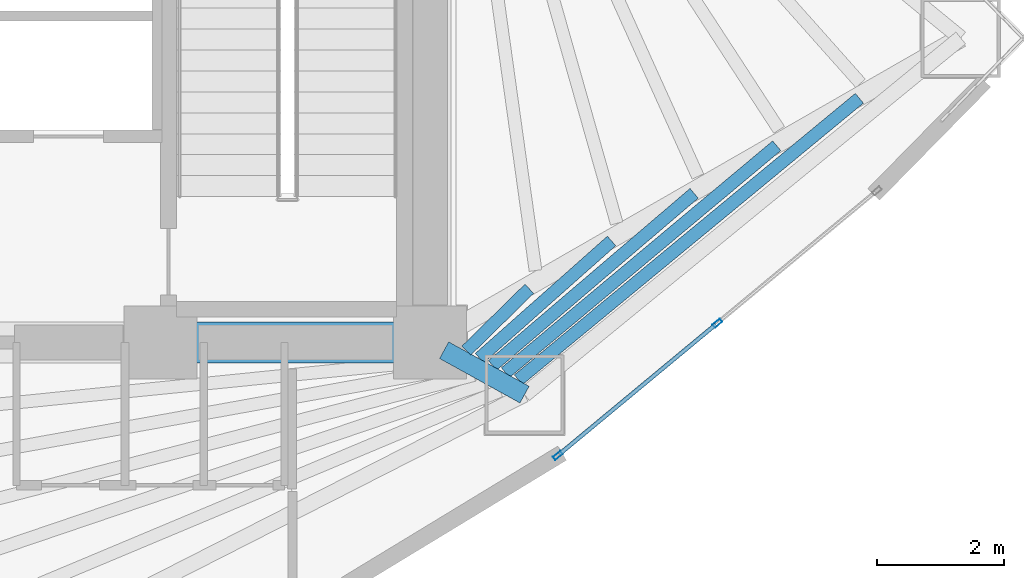
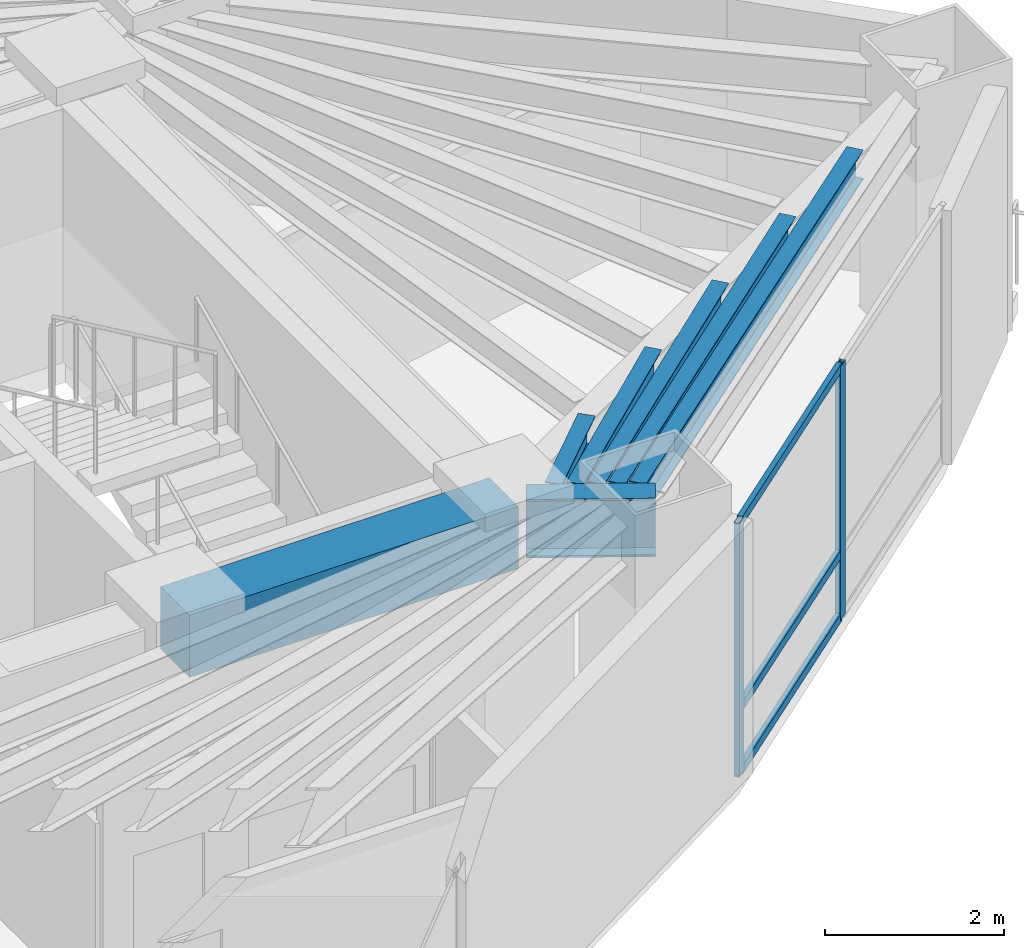
# One storey, part 10 of 19: 7 beams, 5 members, 1 element without a shape of its own.
"""IFC4 building model written with IfcOpenShell, lengths in metres."""

from ifc_helpers import new_model, si_unit, direction, frame, origin, origin_2d, place, context, subcontext, project, spatial, rectangle, hollow_rectangle, i_section, extrude, material, layer, layer_set, material_profile, profile_set, type_object, element, aggregate, save


model = new_model("IFC4")

# Units and contexts
model_context = context("Model", 3, precision=1e-05, world=origin(), true_north=direction((0.0, 1.0)))
body_context = subcontext(model_context, "Body", "Model", "MODEL_VIEW")
ifc_project = project(units=[si_unit("LENGTHUNIT", "METRE"), si_unit("AREAUNIT", "SQUARE_METRE"), si_unit("VOLUMEUNIT", "CUBIC_METRE"), si_unit("PLANEANGLEUNIT", "RADIAN"), si_unit("MASSUNIT", "GRAM", prefix="KILO")], contexts=[model_context])

# Site, building, storey
site_placement = place(None, origin())
site = spatial("IfcSite", under=ifc_project, at=site_placement, CompositionType="ELEMENT")
building_placement = place(site_placement, origin())
building = spatial("IfcBuilding", under=site, at=building_placement, Name="Menara Vayukalpa", CompositionType="ELEMENT")
storey_placement = place(building_placement, frame((0.0, 0.0, 118.860107421875)))
storey = spatial("IfcBuildingStorey", under=building, at=storey_placement, Name="L29", CompositionType="ELEMENT", Elevation=118.860107421875)

# Beams
ifc_material_1 = material(Name="Concrete C60/75", Category="concrete")
ifc_material_profile_1 = material_profile(ifc_material_1, rectangle(XDim=0.64990234375, YDim=0.85009765625, at=origin_2d()), Name="RC 650x850")
ifc_profile_set_1 = profile_set([ifc_material_profile_1], Name="Concrete C60/75")
beam_type_1 = type_object("IfcBeamType", Name="BM-CB1", PredefinedType="BEAM", material=ifc_profile_set_1)
beam_1_placement = place(storey_placement, frame((29.14990234375, 17.199951171875, 3.044921875), z_axis=(1.0, 0.0, 0.0), x_axis=(0.0, 1.0, 0.0)))
element("IfcBeam", 1, at=beam_1_placement, inside=storey, type_object=beam_type_1, Name="L29 Core Tie Beam CBR3", PredefinedType="BEAM", context=body_context, shape_type="SweptSolid", body=[
    extrude(rectangle(XDim=0.64990234375, YDim=0.85009765625, at=origin_2d()), origin(), (0.0, 0.0, 1.0), 4.25),
])
ifc_material_2 = material(Name="Steel S355", Category="steel")
ifc_material_profile_2 = material_profile(ifc_material_2, i_section(OverallWidth=0.300048828125, OverallDepth=0.800048828125, WebThickness=0.013916015625, FlangeThickness=0.02587890625, at=origin_2d()), Name="WF 800x300x14x26")
ifc_profile_set_2 = profile_set([ifc_material_profile_2], Name="Steel S355")
beam_type_2 = type_object("IfcBeamType", Name="BM-PG3", PredefinedType="BEAM", material=ifc_profile_set_2)
beam_2_placement = place(storey_placement, frame((33.618896484375, 17.0791015625, 3.06982421875), z_axis=(0.875228391676, -0.48370989488, 0.0), x_axis=(0.48370989488, 0.875228391676, 0.0)))
element("IfcBeam", 2, at=beam_2_placement, inside=storey, type_object=beam_type_2, Name="L29 Primary Radial Girder RG09", PredefinedType="BEAM", context=body_context, shape_type="SweptSolid", body=[
    extrude(i_section(OverallWidth=0.300048828125, OverallDepth=0.800048828125, WebThickness=0.013916015625, FlangeThickness=0.02587890625, at=origin_2d()), origin(), (0.0, 0.0, 1.0), 1.448486328125),
])
ifc_material_3 = material(Name="Steel S355", Category="steel")
ifc_material_profile_3 = material_profile(ifc_material_3, i_section(OverallWidth=0.199951171875, OverallDepth=0.39990234375, WebThickness=0.008056640625, FlangeThickness=0.012939453125, at=origin_2d()), Name="WF 400x200x8x13")
ifc_profile_set_3 = profile_set([ifc_material_profile_3], Name="Steel S355")
beam_type_3 = type_object("IfcBeamType", Name="BM-SJ2", PredefinedType="JOIST", material=ifc_profile_set_3)
beam_3_placement = place(storey_placement, frame((33.968505859375, 17.072021484375, 3.269775390625), z_axis=(0.713567159094, 0.700586832208, 0.0), x_axis=(-0.700586832208, 0.713567159094, 0.0)))
element("IfcBeam", 3, at=beam_3_placement, inside=storey, type_object=beam_type_3, Name="L29 Secondary Floor Joist SJ09-1", PredefinedType="JOIST", context=body_context, shape_type="SweptSolid", body=[
    extrude(i_section(OverallWidth=0.199951171875, OverallDepth=0.39990234375, WebThickness=0.008056640625, FlangeThickness=0.012939453125, at=origin_2d()), origin(), (0.0, 0.0, 1.0), 1.391845703125),
])
beam_4_placement = place(storey_placement, frame((34.177001953125, 16.95361328125, 3.269775390625), z_axis=(0.747951028434, 0.663753914539, 0.0), x_axis=(-0.663753914539, 0.747951028434, 0.0)))
element("IfcBeam", 4, at=beam_4_placement, inside=storey, type_object=beam_type_3, Name="L29 Secondary Floor Joist SJ09-2", PredefinedType="JOIST", context=body_context, shape_type="SweptSolid", body=[
    extrude(i_section(OverallWidth=0.199951171875, OverallDepth=0.39990234375, WebThickness=0.008056640625, FlangeThickness=0.012939453125, at=origin_2d()), origin(), (0.0, 0.0, 1.0), 2.78369140625),
])
beam_5_placement = place(storey_placement, frame((34.382080078125, 16.839111328125, 3.269775390625), z_axis=(0.760566613353, 0.649259906858, 0.0), x_axis=(-0.649259906858, 0.760566613353, 0.0)))
element("IfcBeam", 5, at=beam_5_placement, inside=storey, type_object=beam_type_3, Name="L29 Secondary Floor Joist SJ09-3", PredefinedType="JOIST", context=body_context, shape_type="SweptSolid", body=[
    extrude(i_section(OverallWidth=0.199951171875, OverallDepth=0.39990234375, WebThickness=0.008056640625, FlangeThickness=0.012939453125, at=origin_2d()), origin(), (0.0, 0.0, 1.0), 4.178466796875),
])
beam_6_placement = place(storey_placement, frame((34.586181640625, 16.7255859375, 3.269775390625), z_axis=(0.767139570374, 0.64148022539, 0.0), x_axis=(-0.64148022539, 0.767139570374, 0.0)))
element("IfcBeam", 6, at=beam_6_placement, inside=storey, type_object=beam_type_3, Name="L29 Secondary Floor Joist SJ09-4", PredefinedType="JOIST", context=body_context, shape_type="SweptSolid", body=[
    extrude(i_section(OverallWidth=0.199951171875, OverallDepth=0.39990234375, WebThickness=0.008056640625, FlangeThickness=0.012939453125, at=origin_2d()), origin(), (0.0, 0.0, 1.0), 5.57421875),
])
beam_7_placement = place(storey_placement, frame((34.789794921875, 16.61279296875, 3.269775390625), z_axis=(0.771153144941, 0.636649689428, 0.0), x_axis=(-0.636649689428, 0.771153144941, 0.0)))
element("IfcBeam", 7, at=beam_7_placement, inside=storey, type_object=beam_type_3, Name="L29 Secondary Floor Joist SJ09-5", PredefinedType="JOIST", context=body_context, shape_type="SweptSolid", body=[
    extrude(i_section(OverallWidth=0.199951171875, OverallDepth=0.39990234375, WebThickness=0.008056640625, FlangeThickness=0.012939453125, at=origin_2d()), origin(), (0.0, 0.0, 1.0), 6.969970703125),
])

# Curtain wall, members
ifc_material_4 = material(Name="Anodised Terracotta Aluminium Alloy 6063-T6", Category="masonry")
ifc_layer = layer(ifc_material_4, 0.14990234375)
ifc_layer_set = layer_set([ifc_layer], Name="Anodised Terracotta Aluminium Alloy 6063-T6")
curtain_wall_type = type_object("IfcCurtainWallType", Name="CW-CW3", PredefinedType="USERDEFINED", material=ifc_layer_set)
curtain_wall_placement = place(storey_placement, origin())
curtain_wall = element("IfcCurtainWall", 8, at=curtain_wall_placement, inside=storey, type_object=curtain_wall_type, Name="L29 Mid Rise Terracotta Ribbon Curtain Wall CW3 19", ObjectType="UNITISED", PredefinedType="USERDEFINED")
ifc_material_5 = material(Name="Anodised Terracotta Aluminium Alloy 6063-T6", Category="masonry")
ifc_material_profile_4 = material_profile(ifc_material_5, hollow_rectangle(XDim=0.06494140625, YDim=0.14990234375, WallThickness=0.00341796875, at=origin_2d()), Name="ALU 65x150x3.5")
ifc_profile_set_4 = profile_set([ifc_material_profile_4], Name="Anodised Terracotta Aluminium Alloy 6063-T6")
member_type_1 = type_object("IfcMemberType", Name="CWM-CW3", PredefinedType="MULLION", material=ifc_profile_set_4)
member_1_placement = place(storey_placement, frame((35.4111328125, 15.4189453125, 0.0), z_axis=(0.0, 0.0, 1.0), x_axis=(-0.638345501574, 0.769749972797, 0.0)))
member_1 = element("IfcMember", 9, at=member_1_placement, type_object=member_type_1, Name="CW3 mullion 1", PredefinedType="MULLION", context=body_context, shape_type="SweptSolid", body=[
    extrude(hollow_rectangle(XDim=0.06494140625, YDim=0.14990234375, WallThickness=0.00341796875, at=origin_2d()), origin(), (0.0, 0.0, 1.0), 3.469970703125),
])
member_2_placement = place(storey_placement, frame((37.9267578125, 17.505126953125, 0.0), z_axis=(0.0, 0.0, 1.0), x_axis=(-0.638345501574, 0.769749972797, 0.0)))
member_2 = element("IfcMember", 10, at=member_2_placement, type_object=member_type_1, Name="CW3 mullion 2", PredefinedType="MULLION", context=body_context, shape_type="SweptSolid", body=[
    extrude(hollow_rectangle(XDim=0.06494140625, YDim=0.14990234375, WallThickness=0.00341796875, at=origin_2d()), origin(), (0.0, 0.0, 1.0), 3.469970703125),
])
ifc_material_6 = material(Name="Anodised Terracotta Aluminium Alloy 6063-T6", Category="masonry")
ifc_material_profile_5 = material_profile(ifc_material_6, hollow_rectangle(XDim=0.06494140625, YDim=0.1201171875, WallThickness=0.00341796875, at=origin_2d()), Name="ALU 65x120x3.5")
ifc_profile_set_5 = profile_set([ifc_material_profile_5], Name="Anodised Terracotta Aluminium Alloy 6063-T6")
member_type_2 = type_object("IfcMemberType", Name="CWT-CW3", PredefinedType="USERDEFINED", material=ifc_profile_set_5)
member_3_placement = place(storey_placement, frame((35.43603515625, 15.439697265625, 0.032470703125), z_axis=(0.769780795125, 0.638308332592, 0.0), x_axis=(-0.638308332592, 0.769780795125, 0.0)))
member_3 = element("IfcMember", 11, at=member_3_placement, type_object=member_type_2, Name="CW3 transom 1.1", ObjectType="TRANSOM", PredefinedType="USERDEFINED", context=body_context, shape_type="SweptSolid", body=[
    extrude(hollow_rectangle(XDim=0.06494140625, YDim=0.1201171875, WallThickness=0.00341796875, at=origin_2d()), origin(), (0.0, 0.0, 1.0), 3.203369140625),
])
member_4_placement = place(storey_placement, frame((35.43603515625, 15.439697265625, 0.89990234375), z_axis=(0.769780795125, 0.638308332592, 0.0), x_axis=(-0.638308332592, 0.769780795125, 0.0)))
member_4 = element("IfcMember", 12, at=member_4_placement, type_object=member_type_2, Name="CW3 transom 1.2", ObjectType="TRANSOM", PredefinedType="USERDEFINED", context=body_context, shape_type="SweptSolid", body=[
    extrude(hollow_rectangle(XDim=0.06494140625, YDim=0.1201171875, WallThickness=0.00341796875, at=origin_2d()), origin(), (0.0, 0.0, 1.0), 3.203369140625),
])
member_5_placement = place(storey_placement, frame((35.43603515625, 15.439697265625, 3.4375), z_axis=(0.769780795125, 0.638308332592, 0.0), x_axis=(-0.638308332592, 0.769780795125, 0.0)))
member_5 = element("IfcMember", 13, at=member_5_placement, type_object=member_type_2, Name="CW3 transom 1.3", ObjectType="TRANSOM", PredefinedType="USERDEFINED", context=body_context, shape_type="SweptSolid", body=[
    extrude(hollow_rectangle(XDim=0.06494140625, YDim=0.1201171875, WallThickness=0.00341796875, at=origin_2d()), origin(), (0.0, 0.0, 1.0), 3.203369140625),
])
aggregate(curtain_wall, [member_1, member_2, member_3, member_4, member_5])

save(model, "model.ifc")
